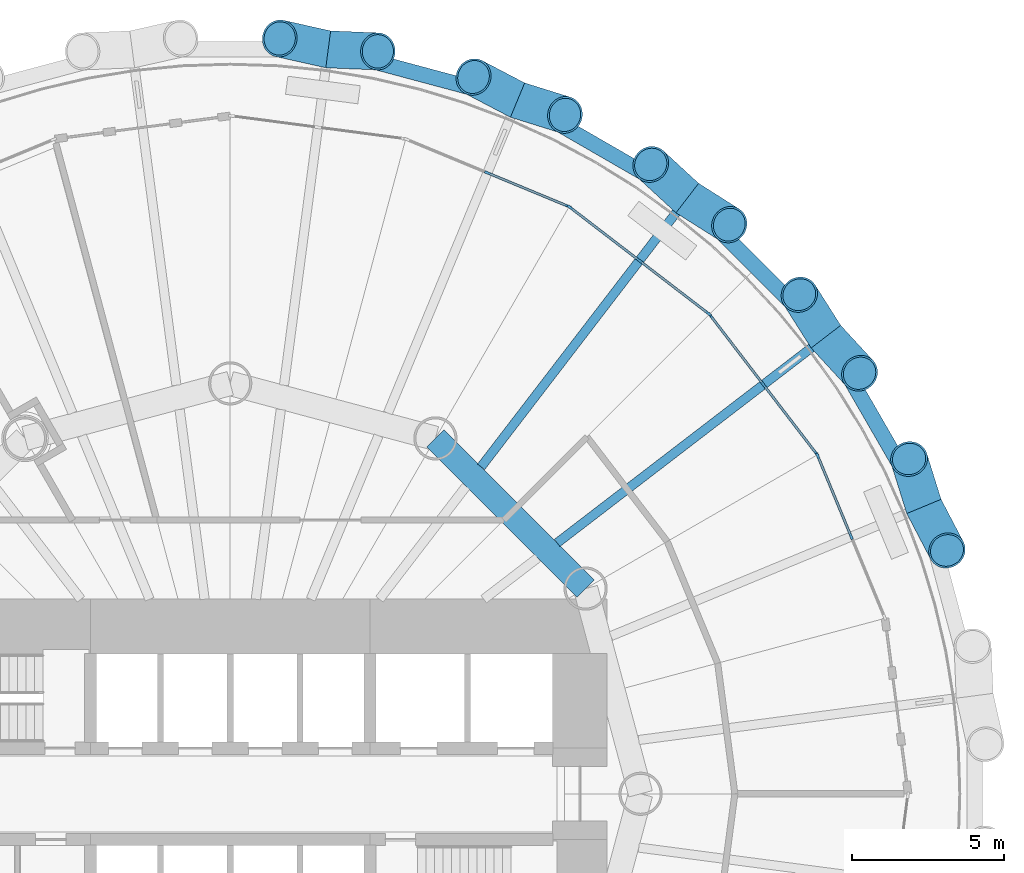
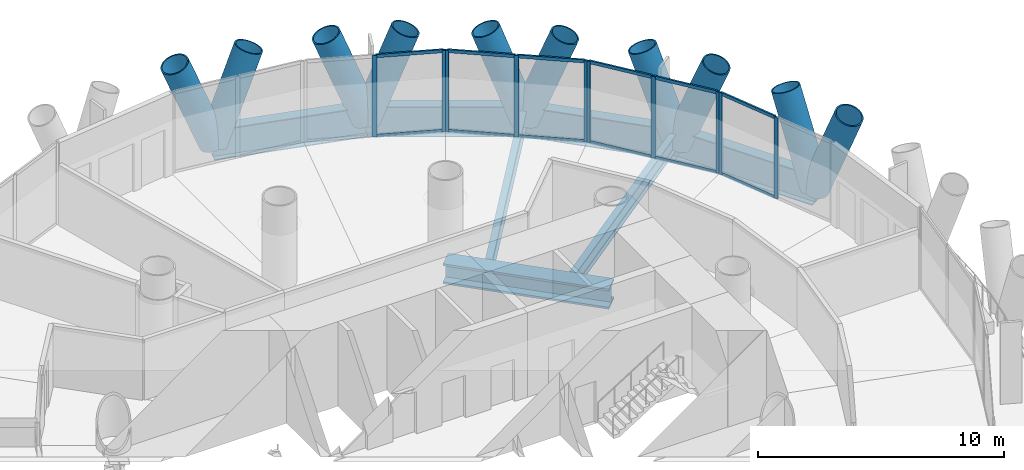
# One storey, part 6 of 15: 32 members, 7 beams, 4 elements without a shape of their own.
"""IFC4 building model written with IfcOpenShell, lengths in metres."""

from ifc_helpers import new_model, si_unit, direction, frame, origin, origin_2d, place, context, subcontext, project, spatial, rectangle, hollow_circle, i_section, extrude, material, material_profile, profile_set, type_object, element, aggregate, save


model = new_model("IFC4")

# Units and contexts
model_context = context("Model", 3, precision=1e-05, world=origin(), true_north=direction((0.0, 1.0)))
body_context = subcontext(model_context, "Body", "Model", "MODEL_VIEW")
ifc_project = project(units=[si_unit("LENGTHUNIT", "METRE"), si_unit("AREAUNIT", "SQUARE_METRE"), si_unit("VOLUMEUNIT", "CUBIC_METRE"), si_unit("PLANEANGLEUNIT", "RADIAN"), si_unit("MASSUNIT", "GRAM", prefix="KILO")], contexts=[model_context])

# Site, building, storey
site_placement = place(None, origin())
site = spatial("IfcSite", under=ifc_project, at=site_placement, CompositionType="ELEMENT")
building_placement = place(site_placement, origin())
building = spatial("IfcBuilding", under=site, at=building_placement, Name="Qaws Media Tower", CompositionType="ELEMENT")
storey_placement = place(building_placement, frame((0.0, 0.0, 51.199951171875)))
storey = spatial("IfcBuildingStorey", under=building, at=storey_placement, Name="L10", CompositionType="ELEMENT", Elevation=51.199951171875)

# Curtain wall, members
ifc_material_1 = material(Name="Aluminium and clear glass", Category="aluminium")
curtain_wall_type = type_object("IfcCurtainWallType", Name="Unitised curtain wall CW-A", PredefinedType="NOTDEFINED", material=ifc_material_1)
curtain_wall_1_placement = place(storey_placement, origin())
curtain_wall_1 = element("IfcCurtainWall", 1, at=curtain_wall_1_placement, inside=storey, type_object=curtain_wall_type, Name="CWA curtain wall L10-02", PredefinedType="NOTDEFINED")
ifc_material_2 = material(Name="Aluminium mullion", Category="aluminium")
ifc_material_profile_1 = material_profile(ifc_material_2, rectangle(XDim=0.080078125, YDim=0.199951171875, at=origin_2d()), Name="80x200")
ifc_profile_set_1 = profile_set([ifc_material_profile_1], Name="Aluminium mullion")
member_type_1 = type_object("IfcMemberType", Name="Curtain wall mullion 80x200", PredefinedType="MULLION", material=ifc_profile_set_1)
member_1_placement = place(storey_placement, frame((80.42626953125, 58.4609375, 0.0), z_axis=(0.0, 0.0, 1.0), x_axis=(-0.923879550732, -0.382683388377, 0.0)))
member_1 = element("IfcMember", 2, at=member_1_placement, type_object=member_type_1, Name="CWA mullion 2", PredefinedType="MULLION", context=body_context, shape_type="SweptSolid", body=[
    extrude(rectangle(XDim=0.080078125, YDim=0.199951171875, at=origin_2d()), origin(), (0.0, 0.0, 1.0), 4.0400390625),
])
member_2_placement = place(storey_placement, frame((79.32763671875, 61.113037109375, 0.0), z_axis=(0.0, 0.0, 1.0), x_axis=(-0.923879550732, -0.382683388377, 0.0)))
member_2 = element("IfcMember", 3, at=member_2_placement, type_object=member_type_1, Name="CWA mullion 3", PredefinedType="MULLION", context=body_context, shape_type="SweptSolid", body=[
    extrude(rectangle(XDim=0.080078125, YDim=0.199951171875, at=origin_2d()), origin(), (0.0, 0.0, 1.0), 4.0400390625),
])

curtain_wall_2_placement = place(storey_placement, origin())
curtain_wall_2 = element("IfcCurtainWall", 4, at=curtain_wall_2_placement, inside=storey, type_object=curtain_wall_type, Name="CWA curtain wall L10-03", PredefinedType="NOTDEFINED")
member_3_placement = place(storey_placement, frame((79.2880859375, 61.181640625, 0.0), z_axis=(0.0, 0.0, 1.0), x_axis=(-0.793353266852, -0.608761524717, 0.0)))
member_3 = element("IfcMember", 5, at=member_3_placement, type_object=member_type_1, Name="CWA mullion 1", PredefinedType="MULLION", context=body_context, shape_type="SweptSolid", body=[
    extrude(rectangle(XDim=0.080078125, YDim=0.199951171875, at=origin_2d()), origin(), (0.0, 0.0, 1.0), 4.0400390625),
])
member_4_placement = place(storey_placement, frame((77.54052734375, 63.459228515625, 0.0), z_axis=(0.0, 0.0, 1.0), x_axis=(-0.793353266852, -0.608761524717, 0.0)))
member_4 = element("IfcMember", 6, at=member_4_placement, type_object=member_type_1, Name="CWA mullion 2", PredefinedType="MULLION", context=body_context, shape_type="SweptSolid", body=[
    extrude(rectangle(XDim=0.080078125, YDim=0.199951171875, at=origin_2d()), origin(), (0.0, 0.0, 1.0), 4.0400390625),
])
member_5_placement = place(storey_placement, frame((75.792724609375, 65.73681640625, 0.0), z_axis=(0.0, 0.0, 1.0), x_axis=(-0.793353266852, -0.608761524717, 0.0)))
member_5 = element("IfcMember", 7, at=member_5_placement, type_object=member_type_1, Name="CWA mullion 3", PredefinedType="MULLION", context=body_context, shape_type="SweptSolid", body=[
    extrude(rectangle(XDim=0.080078125, YDim=0.199951171875, at=origin_2d()), origin(), (0.0, 0.0, 1.0), 4.0400390625),
])

curtain_wall_3_placement = place(storey_placement, origin())
curtain_wall_3 = element("IfcCurtainWall", 8, at=curtain_wall_3_placement, inside=storey, type_object=curtain_wall_type, Name="CWA curtain wall L10-04", PredefinedType="NOTDEFINED")
member_6_placement = place(storey_placement, frame((75.73681640625, 65.792724609375, 0.0), z_axis=(0.0, 0.0, 1.0), x_axis=(-0.608761524717, -0.793353266852, 0.0)))
member_6 = element("IfcMember", 9, at=member_6_placement, type_object=member_type_1, Name="CWA mullion 1", PredefinedType="MULLION", context=body_context, shape_type="SweptSolid", body=[
    extrude(rectangle(XDim=0.080078125, YDim=0.199951171875, at=origin_2d()), origin(), (0.0, 0.0, 1.0), 4.0400390625),
])
member_7_placement = place(storey_placement, frame((73.459228515625, 67.54052734375, 0.0), z_axis=(0.0, 0.0, 1.0), x_axis=(-0.608761524717, -0.793353266852, 0.0)))
member_7 = element("IfcMember", 10, at=member_7_placement, type_object=member_type_1, Name="CWA mullion 2", PredefinedType="MULLION", context=body_context, shape_type="SweptSolid", body=[
    extrude(rectangle(XDim=0.080078125, YDim=0.199951171875, at=origin_2d()), origin(), (0.0, 0.0, 1.0), 4.0400390625),
])
member_8_placement = place(storey_placement, frame((71.181640625, 69.2880859375, 0.0), z_axis=(0.0, 0.0, 1.0), x_axis=(-0.608761524717, -0.793353266852, 0.0)))
member_8 = element("IfcMember", 11, at=member_8_placement, type_object=member_type_1, Name="CWA mullion 3", PredefinedType="MULLION", context=body_context, shape_type="SweptSolid", body=[
    extrude(rectangle(XDim=0.080078125, YDim=0.199951171875, at=origin_2d()), origin(), (0.0, 0.0, 1.0), 4.0400390625),
])

curtain_wall_4_placement = place(storey_placement, origin())
curtain_wall_4 = element("IfcCurtainWall", 12, at=curtain_wall_4_placement, inside=storey, type_object=curtain_wall_type, Name="CWA curtain wall L10-05", PredefinedType="NOTDEFINED")
member_9_placement = place(storey_placement, frame((71.113037109375, 69.32763671875, 0.0), z_axis=(0.0, 0.0, 1.0), x_axis=(-0.382683388377, -0.923879550732, 0.0)))
member_9 = element("IfcMember", 13, at=member_9_placement, type_object=member_type_1, Name="CWA mullion 1", PredefinedType="MULLION", context=body_context, shape_type="SweptSolid", body=[
    extrude(rectangle(XDim=0.080078125, YDim=0.199951171875, at=origin_2d()), origin(), (0.0, 0.0, 1.0), 4.0400390625),
])
member_10_placement = place(storey_placement, frame((68.4609375, 70.42626953125, 0.0), z_axis=(0.0, 0.0, 1.0), x_axis=(-0.382683388377, -0.923879550732, 0.0)))
member_10 = element("IfcMember", 14, at=member_10_placement, type_object=member_type_1, Name="CWA mullion 2", PredefinedType="MULLION", context=body_context, shape_type="SweptSolid", body=[
    extrude(rectangle(XDim=0.080078125, YDim=0.199951171875, at=origin_2d()), origin(), (0.0, 0.0, 1.0), 4.0400390625),
])

# Member
ifc_material_3 = material(Name="Aluminium transom", Category="aluminium")
ifc_material_profile_2 = material_profile(ifc_material_3, rectangle(XDim=0.080078125, YDim=0.159912109375, at=origin_2d()), Name="80x160")
ifc_profile_set_2 = profile_set([ifc_material_profile_2], Name="Aluminium transom")
member_type_2 = type_object("IfcMemberType", Name="Curtain wall transom 80x160", PredefinedType="USERDEFINED", material=ifc_profile_set_2)
member_11_placement = place(storey_placement, frame((80.410888671875, 58.497802734375, 0.0400390625), z_axis=(-0.38264539254, 0.923895288205, 0.0), x_axis=(-0.923895288205, -0.38264539254, 0.0)))
member_11 = element("IfcMember", 15, at=member_11_placement, type_object=member_type_2, Name="CWA transom 2.1", ObjectType="TRANSOM", PredefinedType="USERDEFINED", context=body_context, shape_type="SweptSolid", body=[
    extrude(rectangle(XDim=0.080078125, YDim=0.159912109375, at=origin_2d()), origin(), (0.0, 0.0, 1.0), 2.790771484375),
])

member_12_placement = place(storey_placement, frame((80.410888671875, 58.497802734375, 4.0), z_axis=(-0.38264539254, 0.923895288205, 0.0), x_axis=(-0.923895288205, -0.38264539254, 0.0)))
member_12 = element("IfcMember", 16, at=member_12_placement, type_object=member_type_2, Name="CWA transom 2.2", ObjectType="TRANSOM", PredefinedType="USERDEFINED", context=body_context, shape_type="SweptSolid", body=[
    extrude(rectangle(XDim=0.080078125, YDim=0.159912109375, at=origin_2d()), origin(), (0.0, 0.0, 1.0), 2.790771484375),
])

aggregate(curtain_wall_1, [member_1, member_2, member_11, member_12])

member_13_placement = place(storey_placement, frame((79.263671875, 61.21337890625, 0.0400390625), z_axis=(-0.608767570739, 0.793348627538, 0.0), x_axis=(-0.793348627538, -0.608767570739, 0.0)))
member_13 = element("IfcMember", 17, at=member_13_placement, type_object=member_type_2, Name="CWA transom 1.1", ObjectType="TRANSOM", PredefinedType="USERDEFINED", context=body_context, shape_type="SweptSolid", body=[
    extrude(rectangle(XDim=0.080078125, YDim=0.159912109375, at=origin_2d()), origin(), (0.0, 0.0, 1.0), 2.790771484375),
])

member_14_placement = place(storey_placement, frame((79.263671875, 61.21337890625, 4.0), z_axis=(-0.608767570739, 0.793348627538, 0.0), x_axis=(-0.793348627538, -0.608767570739, 0.0)))
member_14 = element("IfcMember", 18, at=member_14_placement, type_object=member_type_2, Name="CWA transom 1.2", ObjectType="TRANSOM", PredefinedType="USERDEFINED", context=body_context, shape_type="SweptSolid", body=[
    extrude(rectangle(XDim=0.080078125, YDim=0.159912109375, at=origin_2d()), origin(), (0.0, 0.0, 1.0), 2.790771484375),
])

member_15_placement = place(storey_placement, frame((77.51611328125, 63.490966796875, 0.0400390625), z_axis=(-0.608767570739, 0.793348627538, 0.0), x_axis=(-0.793348627538, -0.608767570739, 0.0)))
member_15 = element("IfcMember", 19, at=member_15_placement, type_object=member_type_2, Name="CWA transom 2.1", ObjectType="TRANSOM", PredefinedType="USERDEFINED", context=body_context, shape_type="SweptSolid", body=[
    extrude(rectangle(XDim=0.080078125, YDim=0.159912109375, at=origin_2d()), origin(), (0.0, 0.0, 1.0), 2.790771484375),
])

member_16_placement = place(storey_placement, frame((77.51611328125, 63.490966796875, 4.0), z_axis=(-0.608767570739, 0.793348627538, 0.0), x_axis=(-0.793348627538, -0.608767570739, 0.0)))
member_16 = element("IfcMember", 20, at=member_16_placement, type_object=member_type_2, Name="CWA transom 2.2", ObjectType="TRANSOM", PredefinedType="USERDEFINED", context=body_context, shape_type="SweptSolid", body=[
    extrude(rectangle(XDim=0.080078125, YDim=0.159912109375, at=origin_2d()), origin(), (0.0, 0.0, 1.0), 2.790771484375),
])

aggregate(curtain_wall_2, [member_3, member_4, member_5, member_13, member_14, member_15, member_16])

member_17_placement = place(storey_placement, frame((75.705078125, 65.817138671875, 0.0400390625), z_axis=(-0.793348627538, 0.608767570739, 0.0), x_axis=(-0.608767570739, -0.793348627538, 0.0)))
member_17 = element("IfcMember", 21, at=member_17_placement, type_object=member_type_2, Name="CWA transom 1.1", ObjectType="TRANSOM", PredefinedType="USERDEFINED", context=body_context, shape_type="SweptSolid", body=[
    extrude(rectangle(XDim=0.080078125, YDim=0.159912109375, at=origin_2d()), origin(), (0.0, 0.0, 1.0), 2.790771484375),
])

member_18_placement = place(storey_placement, frame((75.705078125, 65.817138671875, 4.0), z_axis=(-0.793348627538, 0.608767570739, 0.0), x_axis=(-0.608767570739, -0.793348627538, 0.0)))
member_18 = element("IfcMember", 22, at=member_18_placement, type_object=member_type_2, Name="CWA transom 1.2", ObjectType="TRANSOM", PredefinedType="USERDEFINED", context=body_context, shape_type="SweptSolid", body=[
    extrude(rectangle(XDim=0.080078125, YDim=0.159912109375, at=origin_2d()), origin(), (0.0, 0.0, 1.0), 2.790771484375),
])

member_19_placement = place(storey_placement, frame((73.427490234375, 67.564697265625, 0.0400390625), z_axis=(-0.793348627538, 0.608767570739, 0.0), x_axis=(-0.608767570739, -0.793348627538, 0.0)))
member_19 = element("IfcMember", 23, at=member_19_placement, type_object=member_type_2, Name="CWA transom 2.1", ObjectType="TRANSOM", PredefinedType="USERDEFINED", context=body_context, shape_type="SweptSolid", body=[
    extrude(rectangle(XDim=0.080078125, YDim=0.159912109375, at=origin_2d()), origin(), (0.0, 0.0, 1.0), 2.790771484375),
])

member_20_placement = place(storey_placement, frame((73.427490234375, 67.564697265625, 4.0), z_axis=(-0.793348627538, 0.608767570739, 0.0), x_axis=(-0.608767570739, -0.793348627538, 0.0)))
member_20 = element("IfcMember", 24, at=member_20_placement, type_object=member_type_2, Name="CWA transom 2.2", ObjectType="TRANSOM", PredefinedType="USERDEFINED", context=body_context, shape_type="SweptSolid", body=[
    extrude(rectangle(XDim=0.080078125, YDim=0.159912109375, at=origin_2d()), origin(), (0.0, 0.0, 1.0), 2.790771484375),
])

aggregate(curtain_wall_3, [member_6, member_7, member_8, member_17, member_18, member_19, member_20])

member_21_placement = place(storey_placement, frame((71.076171875, 69.343017578125, 0.0400390625), z_axis=(-0.923895288205, 0.38264539254, 0.0), x_axis=(-0.38264539254, -0.923895288205, 0.0)))
member_21 = element("IfcMember", 25, at=member_21_placement, type_object=member_type_2, Name="CWA transom 1.1", ObjectType="TRANSOM", PredefinedType="USERDEFINED", context=body_context, shape_type="SweptSolid", body=[
    extrude(rectangle(XDim=0.080078125, YDim=0.159912109375, at=origin_2d()), origin(), (0.0, 0.0, 1.0), 2.790771484375),
])

member_22_placement = place(storey_placement, frame((71.076171875, 69.343017578125, 4.0), z_axis=(-0.923895288205, 0.38264539254, 0.0), x_axis=(-0.38264539254, -0.923895288205, 0.0)))
member_22 = element("IfcMember", 26, at=member_22_placement, type_object=member_type_2, Name="CWA transom 1.2", ObjectType="TRANSOM", PredefinedType="USERDEFINED", context=body_context, shape_type="SweptSolid", body=[
    extrude(rectangle(XDim=0.080078125, YDim=0.159912109375, at=origin_2d()), origin(), (0.0, 0.0, 1.0), 2.790771484375),
])

aggregate(curtain_wall_4, [member_9, member_10, member_21, member_22])

# Members
ifc_material_4 = material(Name="Steel S460", Category="steel")
ifc_material_profile_3 = material_profile(ifc_material_4, hollow_circle(Radius=0.609619140625, WallThickness=0.06005859375, at=origin_2d()), Name="CHS 1219x60")
ifc_profile_set_3 = profile_set([ifc_material_profile_3], Name="Steel S460")
member_type_3 = type_object("IfcMemberType", Name="Diagrid member CHS 1219x60", PredefinedType="USERDEFINED", material=ifc_profile_set_3)
for number, where, z_axis, x_axis, name in (
    (27, (82.81982421875, 59.452392578125, -0.909912109375), (-0.108230640717, 0.346251379112, 0.931877733865), (-0.954458719978, -0.298343010406, 0.0), "DG1 diagrid L10 A02"),
    (28, (82.81982421875, 59.452392578125, -0.909912109375), (0.168356184605, -0.321382639402, 0.931863398893), (0.885816923301, 0.464034889199, 0.0), "DG1 diagrid L10 B02"),
    (29, (79.595947265625, 65.036376953125, -0.909912109375), (-0.19419319901, 0.306483994421, 0.931856513967), (-0.844711082907, -0.535222557834, 0.0), "DG1 diagrid L10 A03"),
    (30, (79.595947265625, 65.036376953125, -0.909912109375), (0.24576691162, -0.266838837699, 0.931877491867), (0.735552937584, 0.677467250877, 0.0), "DG1 diagrid L10 B03"),
    (31, (75.036376953125, 69.595947265625, -0.909912109375), (-0.266838837699, 0.24576691162, 0.931877491867), (-0.677467250877, -0.735552937584, 0.0), "DG1 diagrid L10 A04"),
    (32, (75.036376953125, 69.595947265625, -0.909912109375), (0.306483994421, -0.19419319901, 0.931856513967), (0.535222557834, 0.844711082907, 0.0), "DG1 diagrid L10 B04"),
    (33, (69.452392578125, 72.81982421875, -0.909912109375), (-0.321382639402, 0.168356184605, 0.931863398893), (-0.464034889199, -0.885816923301, 0.0), "DG1 diagrid L10 A05"),
    (34, (69.452392578125, 72.81982421875, -0.909912109375), (0.346251379112, -0.108230640717, 0.931877733865), (0.298343010406, 0.954458719978, 0.0), "DG1 diagrid L10 B05"),
    (35, (63.223876953125, 74.48876953125, -0.909912109375), (-0.353994649017, 0.079411806497, 0.931869923035), (-0.218890390153, -0.97574945406, 0.0), "DG1 diagrid L10 A06"),
    (36, (63.223876953125, 74.48876953125, -0.909912109375), (0.362497534698, -0.014896416922, 0.931865673851), (0.041059189611, 0.99915671591, 0.0), "DG1 diagrid L10 B06"),
):
    element("IfcMember", number, at=place(storey_placement, frame(where, z_axis=z_axis, x_axis=x_axis)), inside=storey, type_object=member_type_3, Name=name, ObjectType="DIAGRID", PredefinedType="USERDEFINED", context=body_context, shape_type="SweptSolid", body=[
        extrude(hollow_circle(Radius=0.609619140625, WallThickness=0.06005859375, at=origin_2d()), origin(), (0.0, 0.0, 1.0), 4.507080078125),
    ])

# Beams
ifc_material_5 = material(Name="Steel S460", Category="steel")
ifc_material_profile_4 = material_profile(ifc_material_5, i_section(OverallWidth=0.5, OverallDepth=1.5, WebThickness=0.02001953125, FlangeThickness=0.0400390625, at=origin_2d()), Name="PG 1500x500")
ifc_profile_set_4 = profile_set([ifc_material_profile_4], Name="Steel S460")
beam_type_1 = type_object("IfcBeamType", Name="Edge ring beam PG 1500x500", PredefinedType="BEAM", material=ifc_profile_set_4)
beam_1_placement = place(storey_placement, frame((82.81982421875, 59.452392578125, -0.909912109375), z_axis=(-0.499995588155, 0.866027950949, 0.0), x_axis=(-0.866027950949, -0.499995588155, 0.0)))
element("IfcBeam", 37, at=beam_1_placement, inside=storey, type_object=beam_type_1, Name="RB4 edge ring beam L10-02", PredefinedType="BEAM", context=body_context, shape_type="SweptSolid", body=[
    extrude(i_section(OverallWidth=0.5, OverallDepth=1.5, WebThickness=0.02001953125, FlangeThickness=0.0400390625, at=origin_2d()), origin(), (0.0, 0.0, 1.0), 6.44775390625),
])
beam_2_placement = place(storey_placement, frame((79.595947265625, 65.036376953125, -0.909912109375), z_axis=(-0.707106781187, 0.707106781187, 0.0), x_axis=(-0.707106781187, -0.707106781187, 0.0)))
element("IfcBeam", 38, at=beam_2_placement, inside=storey, type_object=beam_type_1, Name="RB4 edge ring beam L10-03", PredefinedType="BEAM", context=body_context, shape_type="SweptSolid", body=[
    extrude(i_section(OverallWidth=0.5, OverallDepth=1.5, WebThickness=0.02001953125, FlangeThickness=0.0400390625, at=origin_2d()), origin(), (0.0, 0.0, 1.0), 6.4482421875),
])
beam_3_placement = place(storey_placement, frame((75.036376953125, 69.595947265625, -0.909912109375), z_axis=(-0.866027950949, 0.499995588155, 0.0), x_axis=(-0.499995588155, -0.866027950949, 0.0)))
element("IfcBeam", 39, at=beam_3_placement, inside=storey, type_object=beam_type_1, Name="RB4 edge ring beam L10-04", PredefinedType="BEAM", context=body_context, shape_type="SweptSolid", body=[
    extrude(i_section(OverallWidth=0.5, OverallDepth=1.5, WebThickness=0.02001953125, FlangeThickness=0.0400390625, at=origin_2d()), origin(), (0.0, 0.0, 1.0), 6.44775390625),
])
beam_4_placement = place(storey_placement, frame((69.452392578125, 72.81982421875, -0.909912109375), z_axis=(-0.965925067134, 0.25882187829, 0.0), x_axis=(-0.25882187829, -0.965925067134, 0.0)))
element("IfcBeam", 40, at=beam_4_placement, inside=storey, type_object=beam_type_1, Name="RB4 edge ring beam L10-05", PredefinedType="BEAM", context=body_context, shape_type="SweptSolid", body=[
    extrude(i_section(OverallWidth=0.5, OverallDepth=1.5, WebThickness=0.02001953125, FlangeThickness=0.0400390625, at=origin_2d()), origin(), (0.0, 0.0, 1.0), 6.4482421875),
])
ifc_material_6 = material(Name="Steel S460", Category="steel")
ifc_material_profile_5 = material_profile(ifc_material_6, i_section(OverallWidth=0.800048828125, OverallDepth=1.0, WebThickness=0.0400390625, FlangeThickness=0.10009765625, at=origin_2d()), Name="PG 1000x800")
ifc_profile_set_5 = profile_set([ifc_material_profile_5], Name="Steel S460")
beam_type_2 = type_object("IfcBeamType", Name="Inner ring girder PG 1000x800", PredefinedType="BEAM", material=ifc_profile_set_5)
beam_5_placement = place(storey_placement, frame((71.69140625, 56.75, -0.659912109375), z_axis=(-0.707106781187, 0.707106781187, 0.0), x_axis=(-0.707106781187, -0.707106781187, 0.0)))
element("IfcBeam", 41, at=beam_5_placement, inside=storey, type_object=beam_type_2, Name="B3 inner ring beam L10 I02-I03", PredefinedType="BEAM", context=body_context, shape_type="SweptSolid", body=[
    extrude(i_section(OverallWidth=0.800048828125, OverallDepth=1.0, WebThickness=0.0400390625, FlangeThickness=0.10009765625, at=origin_2d()), origin(), (0.0, 0.0, 1.0), 6.98828125),
])
ifc_material_7 = material(Name="Steel S355", Category="steel")
ifc_material_profile_6 = material_profile(ifc_material_7, i_section(OverallWidth=0.300048828125, OverallDepth=0.800048828125, WebThickness=0.017578125, FlangeThickness=0.032958984375, FilletRadius=0.030029296875, at=origin_2d()), Name="HE 800 B")
ifc_profile_set_6 = profile_set([ifc_material_profile_6], Name="Steel S355")
beam_type_3 = type_object("IfcBeamType", Name="Radial beam HE 800 B", PredefinedType="BEAM", material=ifc_profile_set_6)
for number, where, z_axis, x_axis, name in (
    (42, (70.754638671875, 58.25244140625, -0.56005859375), (0.793363704309, 0.60874792212, 0.0), (-0.60874792212, 0.793363704309, 0.0), "B1 radial beam L10 03"),
    (43, (68.25244140625, 60.754638671875, -0.56005859375), (0.60874792212, 0.793363704309, 0.0), (-0.793363704309, 0.60874792212, 0.0), "B1 radial beam L10 04"),
):
    element("IfcBeam", number, at=place(storey_placement, frame(where, z_axis=z_axis, x_axis=x_axis)), inside=storey, type_object=beam_type_3, Name=name, PredefinedType="BEAM", context=body_context, shape_type="SweptSolid", body=[
        extrude(i_section(OverallWidth=0.300048828125, OverallDepth=0.800048828125, WebThickness=0.017578125, FlangeThickness=0.032958984375, FilletRadius=0.030029296875, at=origin_2d()), origin(), (0.0, 0.0, 1.0), 11.14404296875),
    ])

save(model, "model.ifc")
